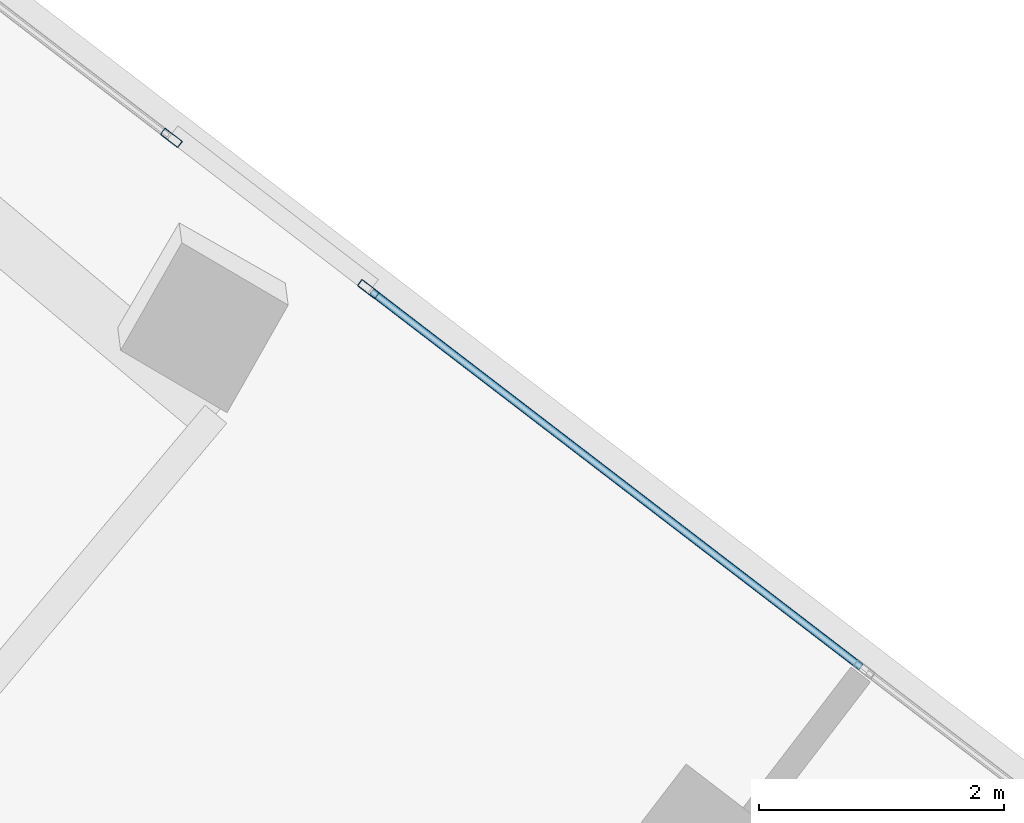
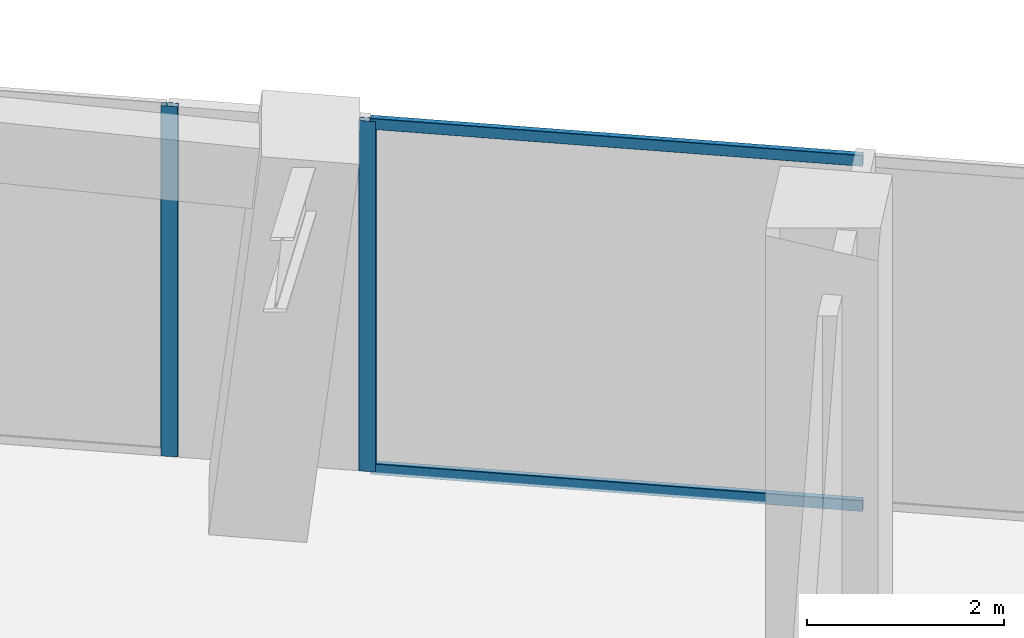
# One storey, part 9 of 22: 4 members, 2 elements without a shape of their own.
"""IFC4 building model written with IfcOpenShell, lengths in metres."""

from ifc_helpers import new_model, si_unit, direction, frame, origin, origin_2d, place, context, subcontext, project, spatial, hollow_rectangle, extrude, source, transform, mapped, material, material_profile, profile_set, type_object, element, aggregate, save


model = new_model("IFC4")

# Units and contexts
model_context = context("Model", 3, precision=1e-05, world=origin(), true_north=direction((0.0, 1.0)))
body_context = subcontext(model_context, "Body", "Model", "MODEL_VIEW")
ifc_project = project(units=[si_unit("LENGTHUNIT", "METRE"), si_unit("AREAUNIT", "SQUARE_METRE"), si_unit("VOLUMEUNIT", "CUBIC_METRE"), si_unit("PLANEANGLEUNIT", "RADIAN"), si_unit("MASSUNIT", "GRAM", prefix="KILO")], contexts=[model_context])

# Site, building, storey
site_placement = place(None, origin())
site = spatial("IfcSite", under=ifc_project, at=site_placement, CompositionType="ELEMENT")
building_placement = place(site_placement, origin())
building = spatial("IfcBuilding", under=site, at=building_placement, Name="Torre Montelarca", CompositionType="ELEMENT")
storey_placement = place(building_placement, frame((0.0, 0.0, 209.800048828125)))
storey = spatial("IfcBuildingStorey", under=building, at=storey_placement, Name="L47", CompositionType="ELEMENT", Elevation=209.800048828125)

# Curtain wall, members
ifc_material_1 = material(Name="Insulated low-E laminated glass", Category="glass")
curtain_wall_type = type_object("IfcCurtainWallType", Name="CW-SYS-Z2", PredefinedType="USERDEFINED", material=ifc_material_1)
curtain_wall_1_placement = place(storey_placement, origin())
curtain_wall_1 = element("IfcCurtainWall", 1, at=curtain_wall_1_placement, inside=storey, type_object=curtain_wall_type, Name="L47 Curtain Wall Run CW-T3-L47-E08-B1", ObjectType="UNITISED GLAZING", PredefinedType="USERDEFINED")
ifc_material_2 = material(Name="Anodised aluminium AA 6063-T6", Category="aluminium")
ifc_material_profile_1 = material_profile(ifc_material_2, hollow_rectangle(XDim=0.06494140625, YDim=0.139892578125, WallThickness=0.00390625, InnerFilletRadius=0.00390625, OuterFilletRadius=0.008056640625, at=origin_2d()), Name="ALU65X140X4", Category="aluminium")
ifc_profile_set_1 = profile_set([ifc_material_profile_1], Name="Anodised aluminium AA 6063-T6")
member_type_1 = type_object("IfcMemberType", Name="CWT-ALU140", PredefinedType="USERDEFINED", material=ifc_profile_set_1)
shared_shape_1 = source(origin(), body_context, "Body", "SweptSolid", [
    extrude(hollow_rectangle(XDim=0.06494140625, YDim=0.139892578125, WallThickness=0.00390625, InnerFilletRadius=0.00390625, OuterFilletRadius=0.008056640625, at=origin_2d()), origin(), (0.0, 0.0, 1.0), 5.029541015625),
])
member_1_placement = place(storey_placement, frame((47.605712890625, 32.22412109375, 0.032470703125), z_axis=(-0.793357848278, 0.608755554041, 0.0), x_axis=(-0.608755554041, -0.793357848278, 0.0)))
member_1 = element("IfcMember", 2, at=member_1_placement, type_object=member_type_1, Name="CW transom 2.1", ObjectType="TRANSOM", PredefinedType="USERDEFINED", context=body_context, shape_type="MappedRepresentation", body=[
    mapped(shared_shape_1, transform((0.0, 0.0, 0.0), scale=1.0)),
])
member_2_placement = place(storey_placement, frame((47.605712890625, 32.22412109375, 4.302490234375), z_axis=(-0.793357848278, 0.608755554041, 0.0), x_axis=(-0.608755554041, -0.793357848278, 0.0)))
member_2 = element("IfcMember", 3, at=member_2_placement, type_object=member_type_1, Name="CW transom 2.2", ObjectType="TRANSOM", PredefinedType="USERDEFINED", context=body_context, shape_type="MappedRepresentation", body=[
    mapped(shared_shape_1, transform((0.0, 0.0, 0.0), scale=1.0)),
])
ifc_material_profile_2 = material_profile(ifc_material_2, hollow_rectangle(XDim=0.06494140625, YDim=0.179931640625, WallThickness=0.00390625, InnerFilletRadius=0.00390625, OuterFilletRadius=0.008056640625, at=origin_2d()), Name="ALU65X180X4", Category="aluminium")
ifc_profile_set_2 = profile_set([ifc_material_profile_2], Name="Anodised aluminium AA 6063-T6")
member_type_2 = type_object("IfcMemberType", Name="CWM-ALU180", PredefinedType="MULLION", material=ifc_profile_set_2)
shared_shape_2 = source(origin(), body_context, "Body", "SweptSolid", [
    extrude(hollow_rectangle(XDim=0.06494140625, YDim=0.179931640625, WallThickness=0.00390625, InnerFilletRadius=0.00390625, OuterFilletRadius=0.008056640625, at=origin_2d()), origin(), (0.0, 0.0, 1.0), 4.3349609375),
])
member_3_placement = place(storey_placement, frame((43.589599609375, 35.3056640625, 0.0), z_axis=(0.0, 0.0, 1.0), x_axis=(-0.60875783745, -0.793356096178, 0.0)))
member_3 = element("IfcMember", 4, at=member_3_placement, type_object=member_type_2, Name="CW mullion 3", PredefinedType="MULLION", context=body_context, shape_type="MappedRepresentation", body=[
    mapped(shared_shape_2, transform((0.0, 0.0, 0.0), scale=1.0)),
])
aggregate(curtain_wall_1, [member_3, member_1, member_2])

# Curtain wall, member
curtain_wall_2_placement = place(storey_placement, origin())
curtain_wall_2 = element("IfcCurtainWall", 5, at=curtain_wall_2_placement, inside=storey, type_object=curtain_wall_type, Name="L47 Curtain Wall Run CW-T3-L47-E08-B2", ObjectType="UNITISED GLAZING", PredefinedType="USERDEFINED")
member_4_placement = place(storey_placement, frame((41.983154296875, 36.53857421875, 0.0), z_axis=(0.0, 0.0, 1.0), x_axis=(-0.608770551875, -0.793346339987, 0.0)))
member_4 = element("IfcMember", 6, at=member_4_placement, type_object=member_type_2, Name="CW mullion 1", PredefinedType="MULLION", context=body_context, shape_type="MappedRepresentation", body=[
    mapped(shared_shape_2, transform((0.0, 0.0, 0.0), scale=1.0)),
])
aggregate(curtain_wall_2, [member_4])

save(model, "model.ifc")
